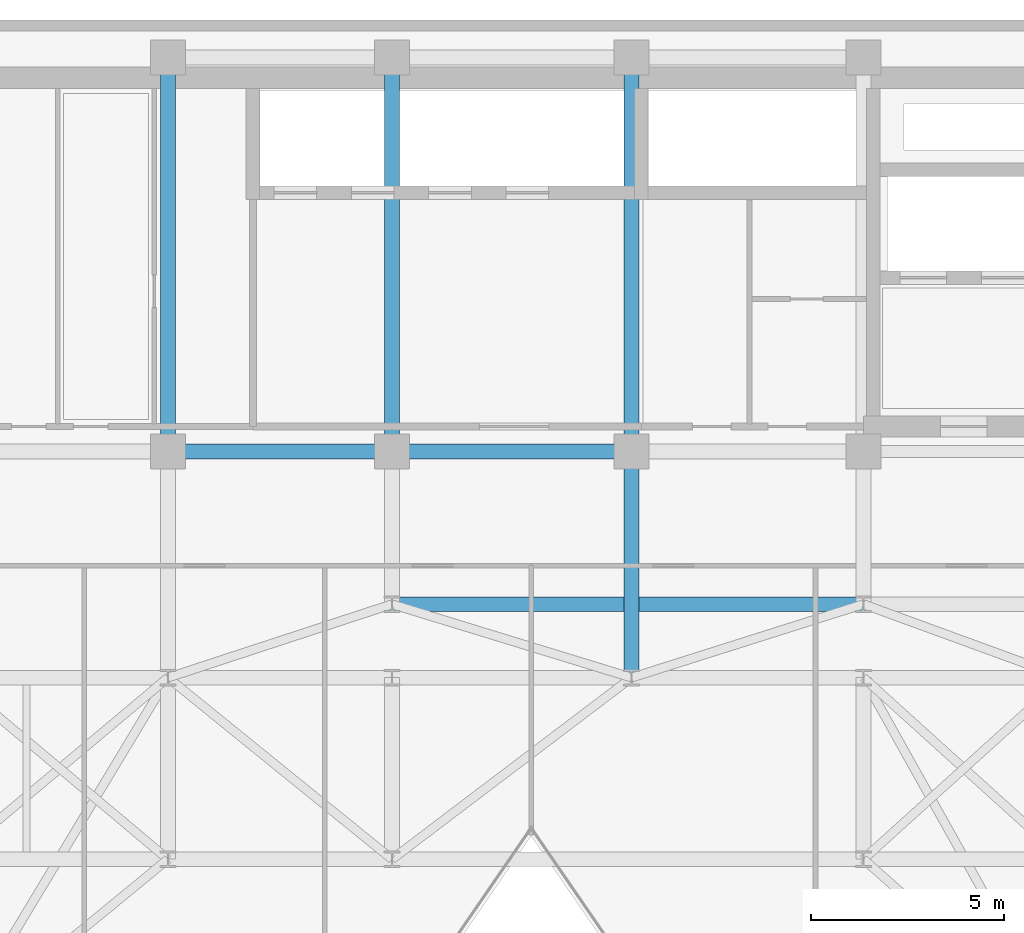
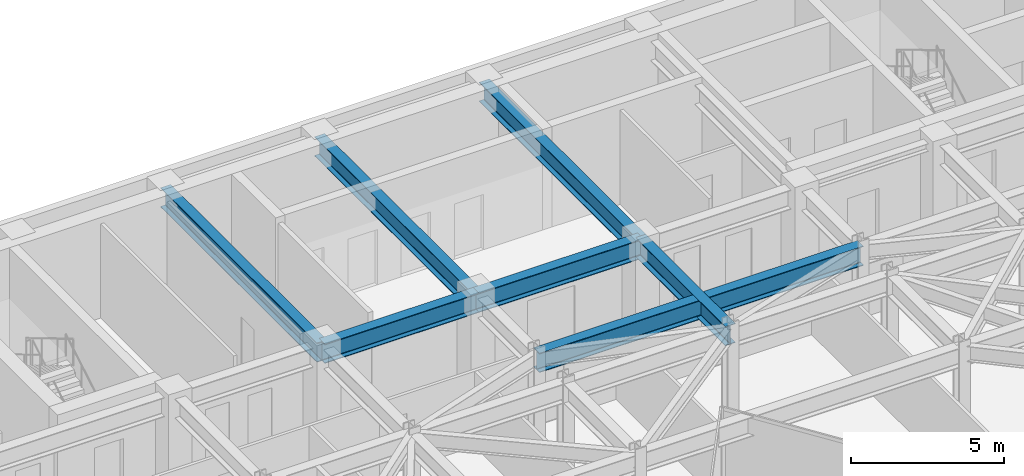
# One storey, part 15 of 27: 7 beams.
"""IFC4 building model written with IfcOpenShell, lengths in metres."""

from ifc_helpers import new_model, si_unit, direction, frame, origin, origin_2d, place, context, subcontext, project, spatial, i_section, extrude, material, material_profile, profile_set, type_object, element, save


model = new_model("IFC4")

# Units and contexts
model_context = context("Model", 3, precision=1e-05, world=origin(), true_north=direction((0.0, 1.0)))
body_context = subcontext(model_context, "Body", "Model", "MODEL_VIEW")
ifc_project = project(units=[si_unit("LENGTHUNIT", "METRE"), si_unit("AREAUNIT", "SQUARE_METRE"), si_unit("VOLUMEUNIT", "CUBIC_METRE"), si_unit("PLANEANGLEUNIT", "RADIAN"), si_unit("MASSUNIT", "GRAM", prefix="KILO")], contexts=[model_context])

# Site, building, storey
site_placement = place(None, origin())
site = spatial("IfcSite", under=ifc_project, at=site_placement, CompositionType="ELEMENT")
building_placement = place(site_placement, origin())
building = spatial("IfcBuilding", under=site, at=building_placement, Name="Kravanh Interchange Tower", CompositionType="ELEMENT")
storey_placement = place(building_placement, frame((0.0, 0.0, 188.5)))
storey = spatial("IfcBuildingStorey", under=building, at=storey_placement, Name="L45", CompositionType="ELEMENT", Elevation=188.5)

# Beams
ifc_material = material(Name="Structural Steel S355", Category="steel")
ifc_material_profile = material_profile(ifc_material, i_section(OverallWidth=0.381103515625, OverallDepth=0.77294921875, WebThickness=0.0166015625, FlangeThickness=0.027099609375, FilletRadius=0.02490234375, at=origin_2d()), Name="W30X173")
ifc_profile_set = profile_set([ifc_material_profile], Name="Structural Steel S355")
beam_type = type_object("IfcBeamType", Name="Floor Beam W30X173 Structural Steel S355", PredefinedType="BEAM", material=ifc_profile_set)
beam_1_placement = place(storey_placement, frame((44.800048828125, 37.35009765625, 3.368408203125), z_axis=(0.0, -1.0, 0.0), x_axis=(1.0, 0.0, 0.0)))
element("IfcBeam", 1, at=beam_1_placement, inside=storey, type_object=beam_type, Name="L45 Primary Floor Girder 12", PredefinedType="BEAM", context=body_context, shape_type="SweptSolid", body=[
    extrude(i_section(OverallWidth=0.381103515625, OverallDepth=0.77294921875, WebThickness=0.0166015625, FlangeThickness=0.027099609375, FilletRadius=0.02490234375, at=origin_2d()), origin(), (0.0, 0.0, 1.0), 5.85009765625),
])
beam_2_placement = place(storey_placement, frame((44.800048828125, 37.35009765625, 3.368408203125), z_axis=(-1.0, 0.0, 0.0), x_axis=(0.0, -1.0, 0.0)))
element("IfcBeam", 2, at=beam_2_placement, inside=storey, type_object=beam_type, Name="L45 Primary Floor Girder 13", PredefinedType="BEAM", context=body_context, shape_type="SweptSolid", body=[
    extrude(i_section(OverallWidth=0.381103515625, OverallDepth=0.77294921875, WebThickness=0.0166015625, FlangeThickness=0.027099609375, FilletRadius=0.02490234375, at=origin_2d()), origin(), (0.0, 0.0, 1.0), 6.199951171875),
])
beam_3_placement = place(storey_placement, frame((44.800048828125, 37.35009765625, 3.368408203125), z_axis=(0.0, 1.0, 0.0), x_axis=(-1.0, 0.0, 0.0)))
element("IfcBeam", 3, at=beam_3_placement, inside=storey, type_object=beam_type, Name="L45 Primary Floor Girder 14", PredefinedType="BEAM", context=body_context, shape_type="SweptSolid", body=[
    extrude(i_section(OverallWidth=0.381103515625, OverallDepth=0.77294921875, WebThickness=0.0166015625, FlangeThickness=0.027099609375, FilletRadius=0.02490234375, at=origin_2d()), origin(), (0.0, 0.0, 1.0), 10.199951171875),
])
beam_4_placement = place(storey_placement, frame((38.60009765625, 37.35009765625, 3.368408203125), z_axis=(-1.0, 0.0, 0.0), x_axis=(0.0, -1.0, 0.0)))
element("IfcBeam", 4, at=beam_4_placement, inside=storey, type_object=beam_type, Name="L45 Primary Floor Girder 17", PredefinedType="BEAM", context=body_context, shape_type="SweptSolid", body=[
    extrude(i_section(OverallWidth=0.381103515625, OverallDepth=0.77294921875, WebThickness=0.0166015625, FlangeThickness=0.027099609375, FilletRadius=0.02490234375, at=origin_2d()), origin(), (0.0, 0.0, 1.0), 5.800048828125),
])
for number, where, z_axis, x_axis, name in (
    (5, (38.60009765625, 37.35009765625, 3.368408203125), (0.0, 1.0, 0.0), (-1.0, 0.0, 0.0), "L45 Primary Floor Girder 18"),
    (6, (32.800048828125, 37.35009765625, 3.368408203125), (0.0, 1.0, 0.0), (-1.0, 0.0, 0.0), "L45 Primary Floor Girder 22"),
):
    element("IfcBeam", number, at=place(storey_placement, frame(where, z_axis=z_axis, x_axis=x_axis)), inside=storey, type_object=beam_type, Name=name, PredefinedType="BEAM", context=body_context, shape_type="SweptSolid", body=[
        extrude(i_section(OverallWidth=0.381103515625, OverallDepth=0.77294921875, WebThickness=0.0166015625, FlangeThickness=0.027099609375, FilletRadius=0.02490234375, at=origin_2d()), origin(), (0.0, 0.0, 1.0), 10.199951171875),
    ])
beam_5_placement = place(storey_placement, frame((38.60009765625, 33.39990234375, 3.368408203125), z_axis=(1.0, 0.0, 0.0), x_axis=(0.0, 1.0, 0.0)))
element("IfcBeam", 7, at=beam_5_placement, inside=storey, type_object=beam_type, Name="L45 Primary Floor Girder 94", PredefinedType="BEAM", context=body_context, shape_type="SweptSolid", body=[
    extrude(i_section(OverallWidth=0.381103515625, OverallDepth=0.77294921875, WebThickness=0.0166015625, FlangeThickness=0.027099609375, FilletRadius=0.02490234375, at=origin_2d()), origin(), (0.0, 0.0, 1.0), 12.199951171875),
])

save(model, "model.ifc")
